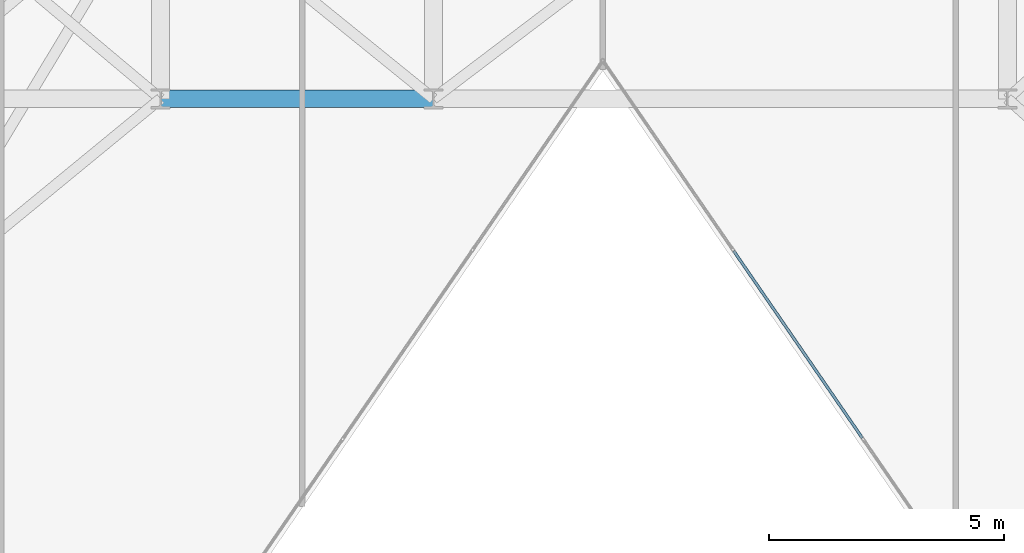
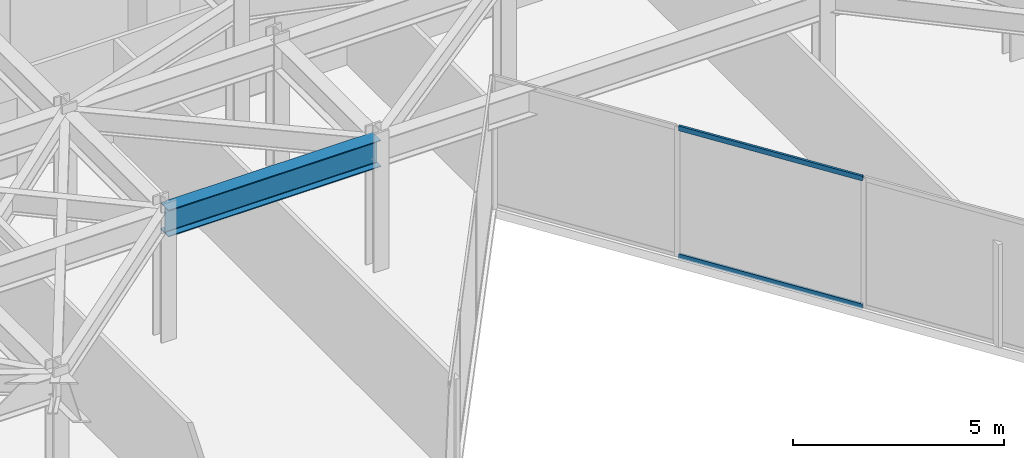
# One storey, part 5 of 21: 2 members, 1 beam, 1 element without a shape of its own.
"""IFC4 building model written with IfcOpenShell, lengths in metres."""

from ifc_helpers import new_model, si_unit, direction, frame, origin, origin_2d, place, context, subcontext, project, spatial, hollow_rectangle, i_section, extrude, material, layer, layer_set, material_profile, profile_set, type_object, element, aggregate, save


model = new_model("IFC4")

# Units and contexts
model_context = context("Model", 3, precision=1e-05, world=origin(), true_north=direction((0.0, 1.0)))
body_context = subcontext(model_context, "Body", "Model", "MODEL_VIEW")
ifc_project = project(units=[si_unit("LENGTHUNIT", "METRE"), si_unit("AREAUNIT", "SQUARE_METRE"), si_unit("VOLUMEUNIT", "CUBIC_METRE"), si_unit("PLANEANGLEUNIT", "RADIAN"), si_unit("MASSUNIT", "GRAM", prefix="KILO")], contexts=[model_context])

# Site, building, storey
site_placement = place(None, origin())
site = spatial("IfcSite", under=ifc_project, at=site_placement, CompositionType="ELEMENT")
building_placement = place(site_placement, origin())
building = spatial("IfcBuilding", under=site, at=building_placement, Name="Kravanh Interchange Tower", CompositionType="ELEMENT")
storey_placement = place(building_placement, frame((0.0, 0.0, 184.5)))
storey = spatial("IfcBuildingStorey", under=building, at=storey_placement, Name="L44", CompositionType="ELEMENT", Elevation=184.5)

# Curtain wall, members
ifc_material_1 = material(Name="Anodised Bronze Aluminium", Category="aluminium")
ifc_layer = layer(ifc_material_1, 0.179931640625)
ifc_layer_set = layer_set([ifc_layer], Name="Unitised Curtain Wall System CW-Z3 Upper Office")
curtain_wall_type = type_object("IfcCurtainWallType", Name="Unitised Curtain Wall System CW-Z3 Upper Office", PredefinedType="NOTDEFINED", material=ifc_layer_set)
curtain_wall_placement = place(storey_placement, origin())
curtain_wall = element("IfcCurtainWall", 1, at=curtain_wall_placement, inside=storey, type_object=curtain_wall_type, Name="L44 Unitised Curtain Wall CW-L44-03", PredefinedType="NOTDEFINED")
ifc_material_2 = material(Name="Anodised Bronze Aluminium", Category="aluminium")
ifc_material_profile_1 = material_profile(ifc_material_2, hollow_rectangle(XDim=0.06005859375, YDim=0.139892578125, WallThickness=0.00390625, at=origin_2d()), Name="ALU60X140X4")
ifc_profile_set_1 = profile_set([ifc_material_profile_1], Name="Anodised Bronze Aluminium")
member_type = type_object("IfcMemberType", Name="Curtain Wall Transom ALU60X140X4 Bronze", PredefinedType="USERDEFINED", material=ifc_profile_set_1)
member_1_placement = place(storey_placement, frame((47.714599609375, 19.590576171875, 0.030029296875), z_axis=(-0.566537417683, 0.824036015211, 0.0), x_axis=(-0.824036015211, -0.566537417683, 0.0)))
member_1 = element("IfcMember", 2, at=member_1_placement, type_object=member_type, Name="CW-Z3 transom 3.1", ObjectType="TRANSOM", PredefinedType="USERDEFINED", context=body_context, shape_type="SweptSolid", body=[
    extrude(hollow_rectangle(XDim=0.06005859375, YDim=0.139892578125, WallThickness=0.00390625, at=origin_2d()), origin(), (0.0, 0.0, 1.0), 4.822265625),
])
member_2_placement = place(storey_placement, frame((47.714599609375, 19.590576171875, 3.72509765625), z_axis=(-0.566537417683, 0.824036015211, 0.0), x_axis=(-0.824036015211, -0.566537417683, 0.0)))
member_2 = element("IfcMember", 3, at=member_2_placement, type_object=member_type, Name="CW-Z3 transom 3.2", ObjectType="TRANSOM", PredefinedType="USERDEFINED", context=body_context, shape_type="SweptSolid", body=[
    extrude(hollow_rectangle(XDim=0.06005859375, YDim=0.139892578125, WallThickness=0.00390625, at=origin_2d()), origin(), (0.0, 0.0, 1.0), 4.822265625),
])
aggregate(curtain_wall, [member_1, member_2])

# Beam
ifc_material_3 = material(Name="Structural Steel S355", Category="steel")
ifc_material_profile_2 = material_profile(ifc_material_3, i_section(OverallWidth=0.381103515625, OverallDepth=0.77294921875, WebThickness=0.0166015625, FlangeThickness=0.027099609375, FilletRadius=0.02490234375, at=origin_2d()), Name="W30X173")
ifc_profile_set_2 = profile_set([ifc_material_profile_2], Name="Structural Steel S355")
beam_type = type_object("IfcBeamType", Name="Floor Beam W30X173 Structural Steel S355", PredefinedType="BEAM", material=ifc_profile_set_2)
beam_placement = place(storey_placement, frame((32.800048828125, 26.800048828125, 3.368408203125), z_axis=(1.0, 0.0, 0.0), x_axis=(0.0, 1.0, 0.0)))
element("IfcBeam", 4, at=beam_placement, inside=storey, type_object=beam_type, Name="L44 Primary Floor Girder 42", PredefinedType="BEAM", context=body_context, shape_type="SweptSolid", body=[
    extrude(i_section(OverallWidth=0.381103515625, OverallDepth=0.77294921875, WebThickness=0.0166015625, FlangeThickness=0.027099609375, FilletRadius=0.02490234375, at=origin_2d()), origin(), (0.0, 0.0, 1.0), 5.800048828125),
])

save(model, "model.ifc")
